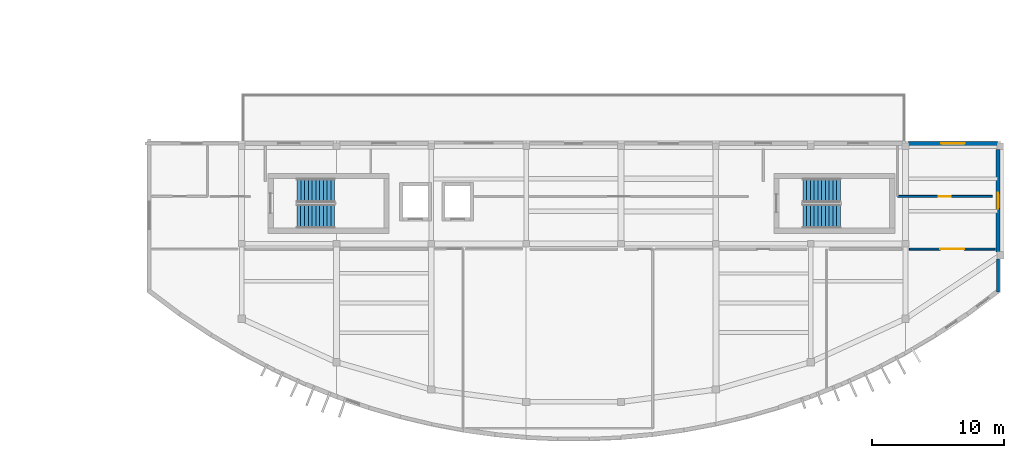
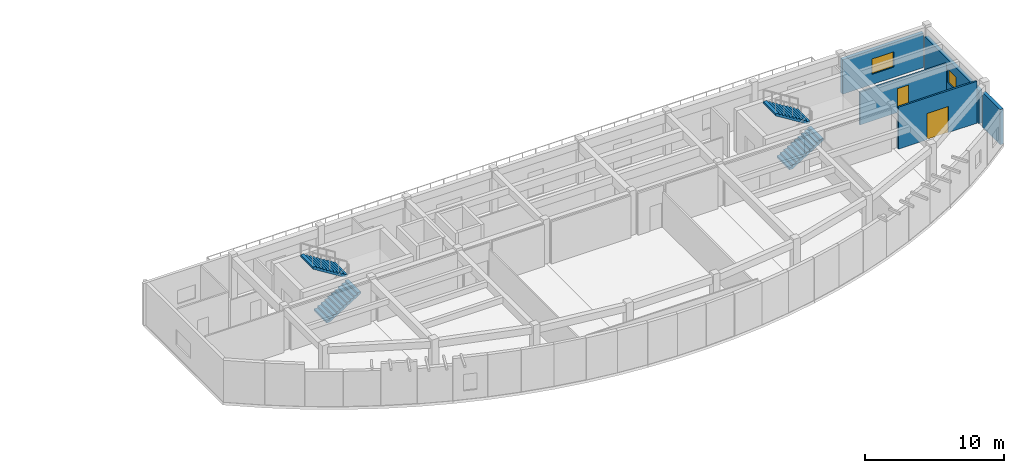
# One storey, part 6 of 11: 5 walls, 4 stair flights, 2 doors, 2 windows, 4 openings, 2 elements without a shape of their own.
"""IFC4 building model written with IfcOpenShell, lengths in metres."""

from ifc_helpers import new_model, si_unit, direction, frame, frame_2d, origin, place, context, subcontext, project, spatial, polyline, rectangle, outline, extrude, material, layer, layer_set, type_object, element, fill, aggregate, save


model = new_model("IFC4")

# Units and contexts
model_context = context("Model", 3, precision=1e-05, world=origin(), true_north=direction((0.0, 1.0)))
body_context = subcontext(model_context, "Body", "Model", "MODEL_VIEW")
ifc_project = project(units=[si_unit("LENGTHUNIT", "METRE"), si_unit("AREAUNIT", "SQUARE_METRE"), si_unit("VOLUMEUNIT", "CUBIC_METRE"), si_unit("PLANEANGLEUNIT", "RADIAN"), si_unit("MASSUNIT", "GRAM", prefix="KILO")], contexts=[model_context])

# Site, building, storey
site_placement = place(None, origin())
site = spatial("IfcSite", under=ifc_project, at=site_placement, CompositionType="ELEMENT")
building_placement = place(site_placement, origin())
building = spatial("IfcBuilding", under=site, at=building_placement, Name="Brisavento Harbour Community Centre", CompositionType="ELEMENT")
storey_placement = place(building_placement, frame((0.0, 0.0, 16.800048828125)))
storey = spatial("IfcBuildingStorey", under=building, at=storey_placement, Name="L04", CompositionType="ELEMENT", Elevation=16.800048828125)

# Wall
ifc_material_1 = material(Name="Terracotta masonry unit", Category="masonry")
ifc_layer_1 = layer(ifc_material_1, 0.260009765625, Name="Terracotta masonry unit")
ifc_layer_set_1 = layer_set([ifc_layer_1], Name="Terracotta masonry unit")
wall_type_1 = type_object("IfcWallType", Name="WL-EXT-260", PredefinedType="SOLIDWALL", material=ifc_layer_set_1)
wall_1_placement = place(storey_placement, frame((172.6201171875, 13.867919921875, 0.0), z_axis=(0.0, 0.0, 1.0), x_axis=(0.0, -1.0, 0.0)))
element("IfcWall", 1, at=wall_1_placement, inside=storey, type_object=wall_type_1, Name="L04 V3 exterior wall 0332", PredefinedType="SOLIDWALL", context=body_context, shape_type="SweptSolid", body=[
    extrude(rectangle(XDim=2.522216796875, YDim=0.260009765625, at=frame_2d((1.26123046875, 0.0))), origin(), (0.0, 0.0, 1.0), 3.079833984375),
])

# Wall, opening, window
ifc_material_2 = material(Name="Precast concrete C40/50", Category="concrete")
ifc_layer_2 = layer(ifc_material_2, 0.280029296875, Name="Precast concrete C40/50")
ifc_layer_set_2 = layer_set([ifc_layer_2], Name="Precast concrete C40/50")
wall_type_2 = type_object("IfcWallType", Name="WL-EXT-280", PredefinedType="SOLIDWALL", material=ifc_layer_set_2)
wall_2_placement = place(storey_placement, frame((172.6201171875, 22.1650390625, 0.0), z_axis=(0.0, 0.0, 1.0), x_axis=(0.0, -1.0, 0.0)))
wall_2 = element("IfcWall", 2, at=wall_2_placement, inside=storey, type_object=wall_type_2, Name="L04 V3 exterior wall 0331", PredefinedType="SOLIDWALL", context=body_context, shape_type="SweptSolid", body=[
    extrude(rectangle(XDim=7.777099609375, YDim=0.280029296875, at=frame_2d((3.888671875, 0.0))), origin(), (0.0, 0.0, 1.0), 2.929931640625),
])
opening_1_placement = place(wall_2_placement, frame((3.28857421875, 0.0, 0.89990234375)))
opening_1 = element("IfcOpeningElement", 3, at=opening_1_placement, cuts=wall_2, Name="Opening W-03", PredefinedType="OPENING", context=body_context, shape_type="SweptSolid", body=[
    extrude(rectangle(XDim=1.199951171875, YDim=1.199951171875, at=frame_2d((0.60009765625, 0.60009765625))), frame((0.0, 0.14990234375, 0.0), z_axis=(0.0, -1.0, 0.0), x_axis=(1.0, 0.0, 0.0)), (0.0, 0.0, 1.0), 0.300048828125),
])
ifc_material_3 = material(Name="Solar-control laminated low-E glass", Category="glass")
window_type_1 = type_object("IfcWindowType", Name="WIN-CAS-03", PartitioningType="SINGLE_PANEL", PredefinedType="WINDOW", material=ifc_material_3)
window_1_placement = place(opening_1_placement, origin())
window_1 = element("IfcWindow", 4, at=window_1_placement, inside=storey, type_object=window_type_1, Name="L04 V3 impact casement window 0183", OverallHeight=1.199951171875, OverallWidth=1.199951171875, PartitioningType="SINGLE_PANEL", PredefinedType="WINDOW", context=body_context, shape_type="SweptSolid", body=[
    extrude(rectangle(XDim=1.199951171875, YDim=1.199951171875, at=frame_2d((0.60009765625, 0.60009765625))), frame((0.0, 0.030029296875, 0.0), z_axis=(0.0, -1.0, 0.0), x_axis=(1.0, 0.0, 0.0)), (0.0, 0.0, 1.0), 0.06005859375),
])
fill(opening_1, window_1)

wall_3_placement = place(storey_placement, frame((165.8349609375, 22.6201171875, 0.0), z_axis=(0.0, 0.0, 1.0), x_axis=(1.0, 0.0, 0.0)))
wall_3 = element("IfcWall", 5, at=wall_3_placement, inside=storey, type_object=wall_type_2, Name="L04 V3 exterior wall 0341", PredefinedType="SOLIDWALL", context=body_context, shape_type="SweptSolid", body=[
    extrude(rectangle(XDim=6.72998046875, YDim=0.280029296875, at=frame_2d((3.364990234375, 0.0))), origin(), (0.0, 0.0, 1.0), 3.030029296875),
])
opening_2_placement = place(wall_3_placement, frame((2.465087890625, 0.0, 0.89990234375)))
opening_2 = element("IfcOpeningElement", 6, at=opening_2_placement, cuts=wall_3, Name="Opening W-11", PredefinedType="OPENING", context=body_context, shape_type="SweptSolid", body=[
    extrude(rectangle(XDim=1.800048828125, YDim=1.35009765625, at=frame_2d((0.89990234375, 0.675048828125))), frame((0.0, 0.14990234375, 0.0), z_axis=(0.0, -1.0, 0.0), x_axis=(1.0, 0.0, 0.0)), (0.0, 0.0, 1.0), 0.300048828125),
])
window_type_2 = type_object("IfcWindowType", Name="WIN-CAS-11", PartitioningType="SINGLE_PANEL", PredefinedType="WINDOW", material=ifc_material_3)
window_2_placement = place(opening_2_placement, origin())
window_2 = element("IfcWindow", 7, at=window_2_placement, inside=storey, type_object=window_type_2, Name="L04 V3 impact casement window 0191", OverallHeight=1.35009765625, OverallWidth=1.800048828125, PartitioningType="SINGLE_PANEL", PredefinedType="WINDOW", context=body_context, shape_type="SweptSolid", body=[
    extrude(rectangle(XDim=1.800048828125, YDim=1.35009765625, at=frame_2d((0.89990234375, 0.675048828125))), frame((0.0, 0.030029296875, 0.0), z_axis=(0.0, -1.0, 0.0), x_axis=(1.0, 0.0, 0.0)), (0.0, 0.0, 1.0), 0.06005859375),
])
fill(opening_2, window_2)

# Wall, opening, door
ifc_material_4 = material(Name="Gypsum metal-stud partition", Category="other")
ifc_layer_3 = layer(ifc_material_4, 0.139892578125, Name="Gypsum metal-stud partition")
ifc_layer_set_3 = layer_set([ifc_layer_3], Name="Gypsum metal-stud partition")
wall_type_3 = type_object("IfcWallType", Name="WL-PRT-140", PredefinedType="PARTITIONING", material=ifc_layer_set_3)
wall_4_placement = place(storey_placement, frame((165.0, 18.60009765625, 0.0), z_axis=(0.0, 0.0, 1.0), x_axis=(1.0, 0.0, 0.0)))
wall_4 = element("IfcWall", 8, at=wall_4_placement, inside=storey, type_object=wall_type_3, Name="L04 Accessible WC L04 partition 0301", PredefinedType="PARTITIONING", context=body_context, shape_type="SweptSolid", body=[
    extrude(rectangle(XDim=7.169921875, YDim=0.139892578125, at=frame_2d((3.5849609375, 0.0))), origin(), (0.0, 0.0, 1.0), 2.8798828125),
])
opening_3_placement = place(wall_4_placement, frame((3.125, 0.0, 0.0)))
opening_3 = element("IfcOpeningElement", 9, at=opening_3_placement, cuts=wall_4, Name="Opening WD-01", PredefinedType="OPENING", context=body_context, shape_type="SweptSolid", body=[
    extrude(rectangle(XDim=0.919921875, YDim=2.10009765625, at=frame_2d((0.4599609375, 1.050048828125))), frame((0.0, 0.080078125, 0.0), z_axis=(0.0, -1.0, 0.0), x_axis=(1.0, 0.0, 0.0)), (0.0, 0.0, 1.0), 0.159912109375),
])
ifc_material_5 = material(Name="Moisture-resistant laminate door", Category="other")
door_type_1 = type_object("IfcDoorType", Name="DR-WC-092x210", OperationType="NOTDEFINED", PredefinedType="DOOR", material=ifc_material_5)
door_1_placement = place(opening_3_placement, origin())
door_1 = element("IfcDoor", 10, at=door_1_placement, inside=storey, type_object=door_type_1, Name="L04 Accessible WC L04 door 0115", OperationType="SINGLE_SWING_RIGHT", OverallHeight=2.10009765625, OverallWidth=0.919921875, PredefinedType="DOOR", context=body_context, shape_type="SweptSolid", body=[
    extrude(rectangle(XDim=0.919921875, YDim=2.10009765625, at=frame_2d((0.4599609375, 1.050048828125))), frame((0.0, 0.02490234375, 0.0), z_axis=(0.0, -1.0, 0.0), x_axis=(1.0, 0.0, 0.0)), (0.0, 0.0, 1.0), 0.050048828125),
])
fill(opening_3, door_1)

ifc_material_6 = material(Name="Moisture-resistant stud partition", Category="other")
ifc_layer_4 = layer(ifc_material_6, 0.14990234375, Name="Moisture-resistant stud partition")
ifc_layer_set_4 = layer_set([ifc_layer_4], Name="Moisture-resistant stud partition")
wall_type_4 = type_object("IfcWallType", Name="WL-PRT-150", PredefinedType="PARTITIONING", material=ifc_layer_set_4)
wall_5_placement = place(storey_placement, frame((172.39990234375, 14.60009765625, 0.0), z_axis=(0.0, 0.0, 1.0), x_axis=(-1.0, 0.0, 0.0)))
wall_5 = element("IfcWall", 11, at=wall_5_placement, inside=storey, type_object=wall_type_4, Name="L04 Artisans Ceramics Workshop Studio partition 0292", PredefinedType="PARTITIONING", context=body_context, shape_type="SweptSolid", body=[
    extrude(rectangle(XDim=6.510009765625, YDim=0.14990234375, at=frame_2d((3.2548828125, 0.0))), origin(), (0.0, 0.0, 1.0), 3.679931640625),
])
opening_4_placement = place(wall_5_placement, frame((2.35498046875, 0.0, 0.0)))
opening_4 = element("IfcOpeningElement", 12, at=opening_4_placement, cuts=wall_5, Name="Opening ID-01", PredefinedType="OPENING", context=body_context, shape_type="SweptSolid", body=[
    extrude(rectangle(XDim=1.800048828125, YDim=2.300048828125, at=frame_2d((0.89990234375, 1.14990234375))), frame((0.0, 0.0849609375, 0.0), z_axis=(0.0, -1.0, 0.0), x_axis=(1.0, 0.0, 0.0)), (0.0, 0.0, 1.0), 0.169921875),
])
ifc_material_7 = material(Name="Solid-core tropical timber door", Category="wood")
door_type_2 = type_object("IfcDoorType", Name="DR-INT-180x230", OperationType="NOTDEFINED", PredefinedType="DOOR", material=ifc_material_7)
door_2_placement = place(opening_4_placement, origin())
door_2 = element("IfcDoor", 13, at=door_2_placement, inside=storey, type_object=door_type_2, Name="L04 Artisans Ceramics Workshop Studio door 0111", OperationType="SINGLE_SWING_RIGHT", OverallHeight=2.300048828125, OverallWidth=1.800048828125, PredefinedType="DOOR", context=body_context, shape_type="SweptSolid", body=[
    extrude(rectangle(XDim=1.800048828125, YDim=2.300048828125, at=frame_2d((0.89990234375, 1.14990234375))), frame((0.0, 0.02490234375, 0.0), z_axis=(0.0, -1.0, 0.0), x_axis=(1.0, 0.0, 0.0)), (0.0, 0.0, 1.0), 0.050048828125),
])
fill(opening_4, door_2)

# Stair, stair flights
ifc_material_8 = material(Name="Concrete C35/45", Category="concrete")
stair_type = type_object("IfcStairType", Name="STR-DL-3900", PredefinedType="HALF_TURN_STAIR", material=ifc_material_8)
stair_1_placement = place(storey_placement, origin())
stair_1 = element("IfcStair", 14, at=stair_1_placement, inside=storey, type_object=stair_type, Name="L04 ST-04", PredefinedType="HALF_TURN_STAIR")
stair_flight_type = type_object("IfcStairFlightType", Name="FLT-DL-3900", PredefinedType="STRAIGHT", material=ifc_material_8)
stair_flight_1_placement = place(storey_placement, frame((119.39990234375, 17.10009765625, 0.0), z_axis=(0.0, 0.0, 1.0), x_axis=(1.0, 0.0, 0.0)))
stair_flight_1 = element("IfcStairFlight", 15, at=stair_flight_1_placement, type_object=stair_flight_type, Name="ST-04 flight 1", NumberOfRisers=11, NumberOfTreads=10, PredefinedType="STRAIGHT", RiserHeight=0.177272727, TreadLength=0.285, context=body_context, shape_type="SweptSolid", body=[
    extrude(outline(polyline([(0.0, 0.0), (0.0, 0.17724609375), (0.284912109375, 0.17724609375), (0.284912109375, 0.3544921875), (0.570068359375, 0.3544921875), (0.570068359375, 0.53173828125), (0.85498046875, 0.53173828125), (0.85498046875, 0.708984375), (1.139892578125, 0.708984375), (1.139892578125, 0.886474609375), (1.425048828125, 0.886474609375), (1.425048828125, 1.063720703125), (1.7099609375, 1.063720703125), (1.7099609375, 1.240966796875), (1.9951171875, 1.240966796875), (1.9951171875, 1.418212890625), (2.280029296875, 1.418212890625), (2.280029296875, 1.595458984375), (2.56494140625, 1.595458984375), (2.56494140625, 1.772705078125), (2.85009765625, 1.772705078125), (2.85009765625, 1.949951171875), (2.85009765625, 1.59619140625), (0.283935546875, 0.0), (0.0, 0.0)])), frame((0.0, 0.89990234375, 0.0), z_axis=(0.0, -1.0, 0.0), x_axis=(1.0, 0.0, 0.0)), (0.0, 0.0, 1.0), 1.800048828125),
])
stair_flight_2_placement = place(storey_placement, frame((122.25, 19.050048828125, 1.949951171875), z_axis=(0.0, 0.0, 1.0), x_axis=(-1.0, 0.0, 0.0)))
stair_flight_2 = element("IfcStairFlight", 16, at=stair_flight_2_placement, type_object=stair_flight_type, Name="ST-04 flight 2", NumberOfRisers=11, NumberOfTreads=10, PredefinedType="STRAIGHT", RiserHeight=0.177272727, TreadLength=0.285, context=body_context, shape_type="SweptSolid", body=[
    extrude(outline(polyline([(0.0, 0.0), (0.0, 0.17724609375), (0.284912109375, 0.17724609375), (0.284912109375, 0.3544921875), (0.570068359375, 0.3544921875), (0.570068359375, 0.53173828125), (0.85498046875, 0.53173828125), (0.85498046875, 0.708984375), (1.139892578125, 0.708984375), (1.139892578125, 0.886474609375), (1.425048828125, 0.886474609375), (1.425048828125, 1.063720703125), (1.7099609375, 1.063720703125), (1.7099609375, 1.240966796875), (1.9951171875, 1.240966796875), (1.9951171875, 1.418212890625), (2.280029296875, 1.418212890625), (2.280029296875, 1.595458984375), (2.56494140625, 1.595458984375), (2.56494140625, 1.772705078125), (2.85009765625, 1.772705078125), (2.85009765625, 1.949951171875), (2.85009765625, 1.59619140625), (0.283935546875, 0.0), (0.0, 0.0)])), frame((0.0, 0.89990234375, 0.0), z_axis=(0.0, -1.0, 0.0), x_axis=(1.0, 0.0, 0.0)), (0.0, 0.0, 1.0), 1.800048828125),
])
aggregate(stair_1, [stair_flight_1, stair_flight_2])

stair_2_placement = place(storey_placement, origin())
stair_2 = element("IfcStair", 17, at=stair_2_placement, inside=storey, type_object=stair_type, Name="L04 ST-05", PredefinedType="HALF_TURN_STAIR")
stair_flight_3_placement = place(storey_placement, frame((157.800048828125, 17.10009765625, 0.0), z_axis=(0.0, 0.0, 1.0), x_axis=(1.0, 0.0, 0.0)))
stair_flight_3 = element("IfcStairFlight", 18, at=stair_flight_3_placement, type_object=stair_flight_type, Name="ST-05 flight 1", NumberOfRisers=11, NumberOfTreads=10, PredefinedType="STRAIGHT", RiserHeight=0.177272727, TreadLength=0.285, context=body_context, shape_type="SweptSolid", body=[
    extrude(outline(polyline([(0.0, 0.0), (0.0, 0.17724609375), (0.284912109375, 0.17724609375), (0.284912109375, 0.3544921875), (0.570068359375, 0.3544921875), (0.570068359375, 0.53173828125), (0.85498046875, 0.53173828125), (0.85498046875, 0.708984375), (1.139892578125, 0.708984375), (1.139892578125, 0.886474609375), (1.425048828125, 0.886474609375), (1.425048828125, 1.063720703125), (1.7099609375, 1.063720703125), (1.7099609375, 1.240966796875), (1.9951171875, 1.240966796875), (1.9951171875, 1.418212890625), (2.280029296875, 1.418212890625), (2.280029296875, 1.595458984375), (2.56494140625, 1.595458984375), (2.56494140625, 1.772705078125), (2.85009765625, 1.772705078125), (2.85009765625, 1.949951171875), (2.85009765625, 1.59619140625), (0.283935546875, 0.0), (0.0, 0.0)])), frame((0.0, 0.89990234375, 0.0), z_axis=(0.0, -1.0, 0.0), x_axis=(1.0, 0.0, 0.0)), (0.0, 0.0, 1.0), 1.800048828125),
])
stair_flight_4_placement = place(storey_placement, frame((160.64990234375, 19.050048828125, 1.949951171875), z_axis=(0.0, 0.0, 1.0), x_axis=(-1.0, 0.0, 0.0)))
stair_flight_4 = element("IfcStairFlight", 19, at=stair_flight_4_placement, type_object=stair_flight_type, Name="ST-05 flight 2", NumberOfRisers=11, NumberOfTreads=10, PredefinedType="STRAIGHT", RiserHeight=0.177272727, TreadLength=0.285, context=body_context, shape_type="SweptSolid", body=[
    extrude(outline(polyline([(0.0, 0.0), (0.0, 0.17724609375), (0.284912109375, 0.17724609375), (0.284912109375, 0.3544921875), (0.570068359375, 0.3544921875), (0.570068359375, 0.53173828125), (0.85498046875, 0.53173828125), (0.85498046875, 0.708984375), (1.139892578125, 0.708984375), (1.139892578125, 0.886474609375), (1.425048828125, 0.886474609375), (1.425048828125, 1.063720703125), (1.7099609375, 1.063720703125), (1.7099609375, 1.240966796875), (1.9951171875, 1.240966796875), (1.9951171875, 1.418212890625), (2.280029296875, 1.418212890625), (2.280029296875, 1.595458984375), (2.56494140625, 1.595458984375), (2.56494140625, 1.772705078125), (2.85009765625, 1.772705078125), (2.85009765625, 1.949951171875), (2.85009765625, 1.59619140625), (0.283935546875, 0.0), (0.0, 0.0)])), frame((0.0, 0.89990234375, 0.0), z_axis=(0.0, -1.0, 0.0), x_axis=(1.0, 0.0, 0.0)), (0.0, 0.0, 1.0), 1.800048828125),
])
aggregate(stair_2, [stair_flight_3, stair_flight_4])

save(model, "model.ifc")
